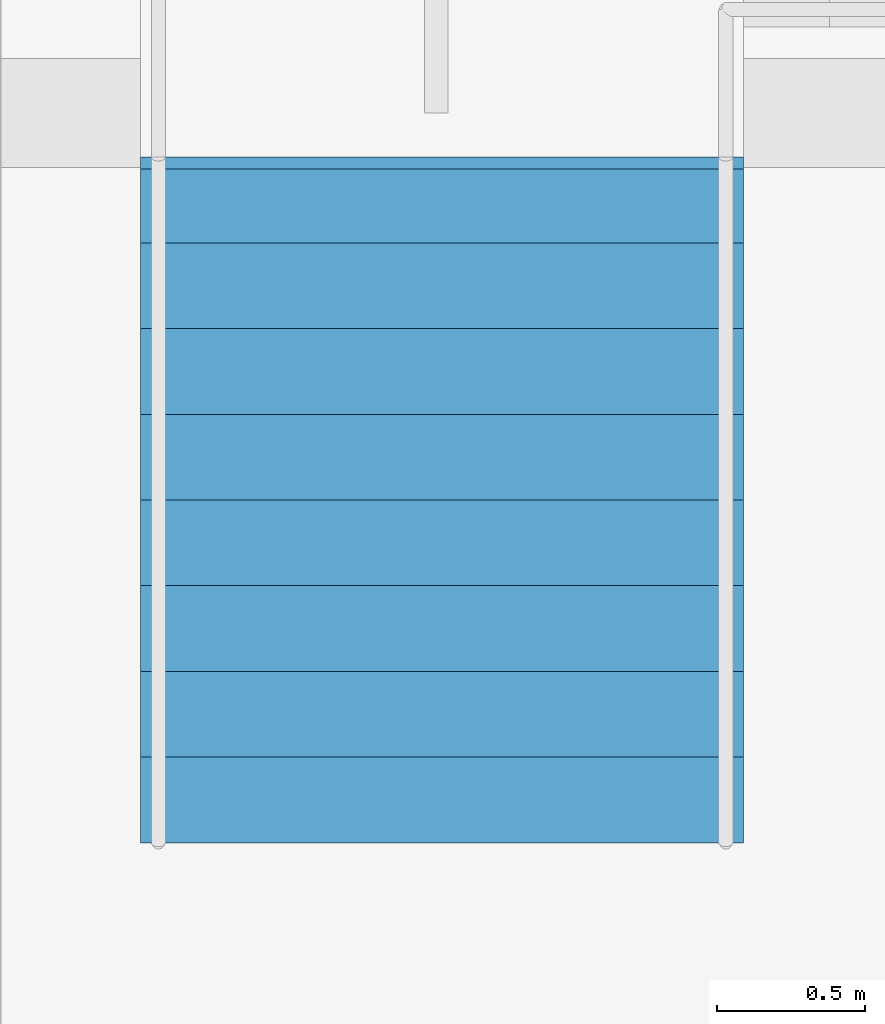
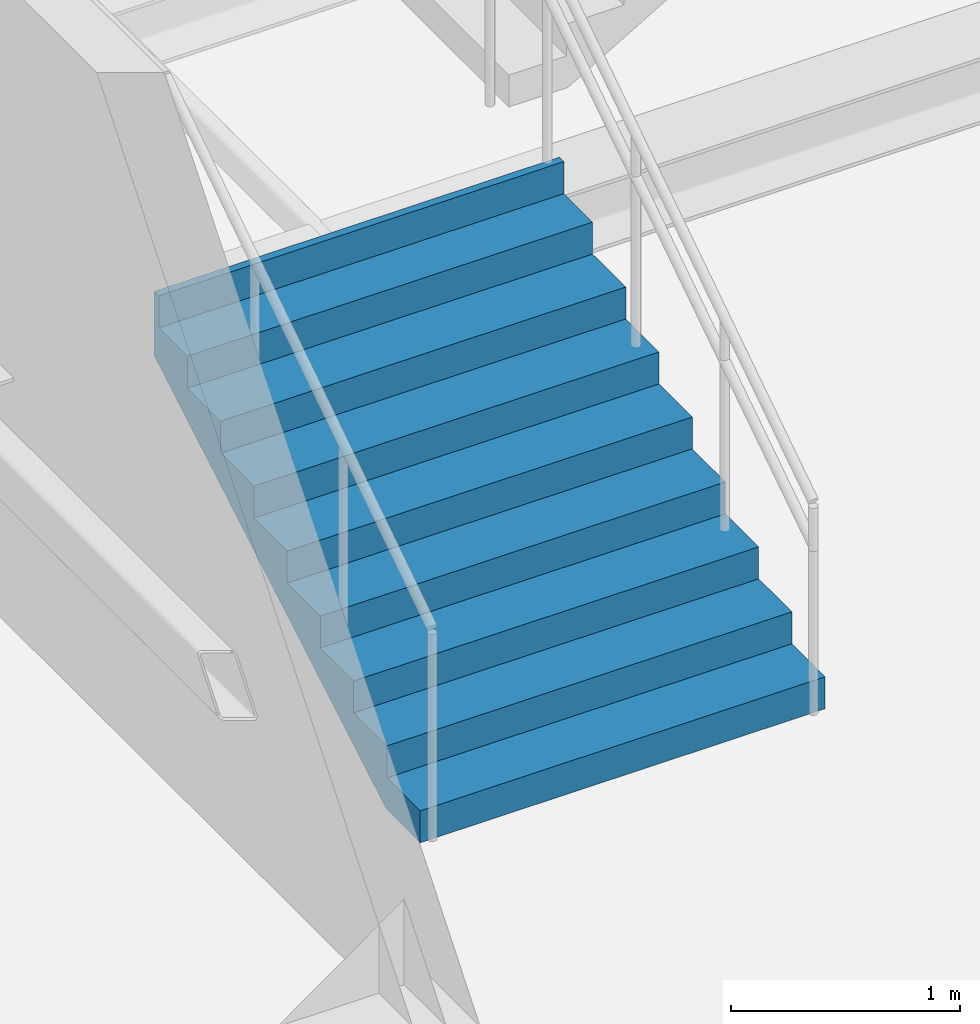
# One storey, part 23 of 32: 1 stair flight, 1 element without a shape of its own.
"""IFC4 building model written with IfcOpenShell, lengths in metres."""

from ifc_helpers import new_model, si_unit, direction, frame, origin, place, context, subcontext, project, spatial, triangles, material, type_object, element, aggregate, save


model = new_model("IFC4")

# Units and contexts
model_context = context("Model", 3, precision=1e-05, world=origin(), true_north=direction((0.0, 1.0)))
body_context = subcontext(model_context, "Body", "Model", "MODEL_VIEW")
ifc_project = project(units=[si_unit("LENGTHUNIT", "METRE"), si_unit("AREAUNIT", "SQUARE_METRE"), si_unit("VOLUMEUNIT", "CUBIC_METRE"), si_unit("PLANEANGLEUNIT", "RADIAN"), si_unit("MASSUNIT", "GRAM", prefix="KILO")], contexts=[model_context])

# Site, building, storey
site_placement = place(None, origin())
site = spatial("IfcSite", under=ifc_project, at=site_placement, CompositionType="ELEMENT")
building_placement = place(site_placement, origin())
building = spatial("IfcBuilding", under=site, at=building_placement, Name="Sillaruma Civic Art Gallery", CompositionType="ELEMENT")
storey_placement = place(building_placement, frame((0.0, 0.0, -4.590087890625)))
storey = spatial("IfcBuildingStorey", under=building, at=storey_placement, Name="B01", CompositionType="ELEMENT", Elevation=-4.590087890625)

# Stair, stair flight
ifc_material = material(Name="Concrete H35 (35 MPa)", Category="concrete")
stair_type = type_object("IfcStairType", Name="STR-3F-27", PredefinedType="TWO_QUARTER_TURN_STAIR", material=ifc_material)
stair_placement = place(storey_placement, origin())
stair = element("IfcStair", 1, at=stair_placement, inside=storey, type_object=stair_type, Name="Monumental Gallery Feature Stair ST-G01 (B01)", PredefinedType="TWO_QUARTER_TURN_STAIR")
stair_flight_type = type_object("IfcStairFlightType", Name="SFL-STR-9", PredefinedType="STRAIGHT", material=ifc_material)
stair_flight_placement = place(storey_placement, frame((39.219970703125, 110.199951171875, 0.0), z_axis=(0.0, 0.0, 1.0), x_axis=(0.0, 1.0, 0.0)))
stair_flight = element("IfcStairFlight", 2, at=stair_flight_placement, type_object=stair_flight_type, Name="ST-G01 flight 1", NumberOfRisers=9, NumberOfTreads=8, PredefinedType="STRAIGHT", RiserHeight=0.17, TreadLength=0.29, context=body_context, shape_type="Tessellation", body=[
    triangles([(0.0, -1.02001953125, 0.0), (0.29, -1.02001953125, 0.0), (0.296482, -1.02001953125, 0.0), (0.58, -1.02001953125, 0.1662), (0.87, -1.02001953125, 0.3362), (1.16, -1.02001953125, 0.5062), (1.45, -1.02001953125, 0.6762), (1.74, -1.02001953125, 0.8462), (2.03, -1.02001953125, 1.0162), (2.280068, -1.02001953125, 1.162792), (2.320068, -1.02001953125, 1.18624), (2.320068, -1.02001953125, 1.53), (2.280068, -1.02001953125, 1.53), (2.280068, -1.02001953125, 1.36), (2.03, -1.02001953125, 1.36), (2.03, -1.02001953125, 1.19), (1.74, -1.02001953125, 1.19), (1.74, -1.02001953125, 1.02), (1.45, -1.02001953125, 1.02), (1.45, -1.02001953125, 0.85), (1.16, -1.02001953125, 0.85), (1.16, -1.02001953125, 0.68), (0.87, -1.02001953125, 0.68), (0.87, -1.02001953125, 0.51), (0.58, -1.02001953125, 0.51), (0.58, -1.02001953125, 0.34), (0.296482, -1.02001953125, 0.34), (0.29, -1.02001953125, 0.34), (0.29, -1.02001953125, 0.17), (0.0, -1.02001953125, 0.17), (0.0, -0.05, 0.0), (0.29, -0.05, 0.0), (0.296482, -0.05, 0.0), (0.58, -0.05, 0.1662), (0.87, -0.05, 0.3362), (1.16, -0.05, 0.5062), (1.45, -0.05, 0.6762), (1.74, -0.05, 0.8462), (2.03, -0.05, 1.0162), (2.280068, -0.05, 1.162792), (2.320068, -0.05, 1.18624), (2.320068, -0.05, 1.53), (2.280068, -0.05, 1.53), (2.280068, -0.05, 1.36), (2.03, -0.05, 1.36), (2.03, -0.05, 1.19), (1.74, -0.05, 1.19), (1.74, -0.05, 1.02), (1.45, -0.05, 1.02), (1.45, -0.05, 0.85), (1.16, -0.05, 0.85), (1.16, -0.05, 0.68), (0.87, -0.05, 0.68), (0.87, -0.05, 0.51), (0.58, -0.05, 0.51), (0.58, -0.05, 0.34), (0.296482, -0.05, 0.34), (0.29, -0.05, 0.34), (0.29, -0.05, 0.17), (0.0, -0.05, 0.17), (0.0, -0.0375, 0.0), (0.29, -0.0375, 0.0), (0.296482, -0.0375, 0.0), (0.58, -0.0375, 0.1662), (0.87, -0.0375, 0.3362), (1.16, -0.0375, 0.5062), (1.45, -0.0375, 0.6762), (1.74, -0.0375, 0.8462), (2.03, -0.0375, 1.0162), (2.280068, -0.0375, 1.162792), (2.320068, -0.0375, 1.18624), (2.320068, -0.0375, 1.53), (2.280068, -0.0375, 1.53), (2.280068, -0.0375, 1.36), (2.03, -0.0375, 1.36), (2.03, -0.0375, 1.19), (1.74, -0.0375, 1.19), (1.74, -0.0375, 1.02), (1.45, -0.0375, 1.02), (1.45, -0.0375, 0.85), (1.16, -0.0375, 0.85), (1.16, -0.0375, 0.68), (0.87, -0.0375, 0.68), (0.87, -0.0375, 0.51), (0.58, -0.0375, 0.51), (0.58, -0.0375, 0.34), (0.296482, -0.0375, 0.34), (0.29, -0.0375, 0.34), (0.29, -0.0375, 0.17), (0.0, -0.0375, 0.17), (0.0, -0.025, 0.0), (0.29, -0.025, 0.0), (0.296482, -0.025, 0.0), (0.58, -0.025, 0.1662), (0.87, -0.025, 0.3362), (1.16, -0.025, 0.5062), (1.45, -0.025, 0.6762), (1.74, -0.025, 0.8462), (2.03, -0.025, 1.0162), (2.280068, -0.025, 1.162792), (2.320068, -0.025, 1.18624), (2.320068, -0.025, 1.53), (2.280068, -0.025, 1.53), (2.280068, -0.025, 1.36), (2.03, -0.025, 1.36), (2.03, -0.025, 1.19), (1.74, -0.025, 1.19), (1.74, -0.025, 1.02), (1.45, -0.025, 1.02), (1.45, -0.025, 0.85), (1.16, -0.025, 0.85), (1.16, -0.025, 0.68), (0.87, -0.025, 0.68), (0.87, -0.025, 0.51), (0.58, -0.025, 0.51), (0.58, -0.025, 0.34), (0.296482, -0.025, 0.34), (0.29, -0.025, 0.34), (0.29, -0.025, 0.17), (0.0, -0.025, 0.17), (0.0, -0.0125, 0.0), (0.29, -0.0125, 0.0), (0.296482, -0.0125, 0.0), (0.58, -0.0125, 0.1662), (0.87, -0.0125, 0.3362), (1.16, -0.0125, 0.5062), (1.45, -0.0125, 0.6762), (1.74, -0.0125, 0.8462), (2.03, -0.0125, 1.0162), (2.280068, -0.0125, 1.162792), (2.320068, -0.0125, 1.18624), (2.320068, -0.0125, 1.53), (2.280068, -0.0125, 1.53), (2.280068, -0.0125, 1.36), (2.03, -0.0125, 1.36), (2.03, -0.0125, 1.19), (1.74, -0.0125, 1.19), (1.74, -0.0125, 1.02), (1.45, -0.0125, 1.02), (1.45, -0.0125, 0.85), (1.16, -0.0125, 0.85), (1.16, -0.0125, 0.68), (0.87, -0.0125, 0.68), (0.87, -0.0125, 0.51), (0.58, -0.0125, 0.51), (0.58, -0.0125, 0.34), (0.296482, -0.0125, 0.34), (0.29, -0.0125, 0.34), (0.29, -0.0125, 0.17), (0.0, -0.0125, 0.17), (0.0, 0.0, 0.0), (0.29, 0.0, 0.0), (0.296482, 0.0, 0.0), (0.58, 0.0, 0.1662), (0.87, 0.0, 0.3362), (1.16, 0.0, 0.5062), (1.45, 0.0, 0.6762), (1.74, 0.0, 0.8462), (2.03, 0.0, 1.0162), (2.280068, 0.0, 1.162792), (2.320068, 0.0, 1.18624), (2.320068, 0.0, 1.53), (2.280068, 0.0, 1.53), (2.280068, 0.0, 1.36), (2.03, 0.0, 1.36), (2.03, 0.0, 1.19), (1.74, 0.0, 1.19), (1.74, 0.0, 1.02), (1.45, 0.0, 1.02), (1.45, 0.0, 0.85), (1.16, 0.0, 0.85), (1.16, 0.0, 0.68), (0.87, 0.0, 0.68), (0.87, 0.0, 0.51), (0.58, 0.0, 0.51), (0.58, 0.0, 0.34), (0.296482, 0.0, 0.34), (0.29, 0.0, 0.34), (0.29, 0.0, 0.17), (0.0, 0.0, 0.17), (0.0, 0.0125, 0.0), (0.29, 0.0125, 0.0), (0.296482, 0.0125, 0.0), (0.58, 0.0125, 0.1662), (0.87, 0.0125, 0.3362), (1.16, 0.0125, 0.5062), (1.45, 0.0125, 0.6762), (1.74, 0.0125, 0.8462), (2.03, 0.0125, 1.0162), (2.280068, 0.0125, 1.162792), (2.320068, 0.0125, 1.18624), (2.320068, 0.0125, 1.53), (2.280068, 0.0125, 1.53), (2.280068, 0.0125, 1.36), (2.03, 0.0125, 1.36), (2.03, 0.0125, 1.19), (1.74, 0.0125, 1.19), (1.74, 0.0125, 1.02), (1.45, 0.0125, 1.02), (1.45, 0.0125, 0.85), (1.16, 0.0125, 0.85), (1.16, 0.0125, 0.68), (0.87, 0.0125, 0.68), (0.87, 0.0125, 0.51), (0.58, 0.0125, 0.51), (0.58, 0.0125, 0.34), (0.296482, 0.0125, 0.34), (0.29, 0.0125, 0.34), (0.29, 0.0125, 0.17), (0.0, 0.0125, 0.17), (0.0, 0.025, 0.0), (0.29, 0.025, 0.0), (0.296482, 0.025, 0.0), (0.58, 0.025, 0.1662), (0.87, 0.025, 0.3362), (1.16, 0.025, 0.5062), (1.45, 0.025, 0.6762), (1.74, 0.025, 0.8462), (2.03, 0.025, 1.0162), (2.280068, 0.025, 1.162792), (2.320068, 0.025, 1.18624), (2.320068, 0.025, 1.53), (2.280068, 0.025, 1.53), (2.280068, 0.025, 1.36), (2.03, 0.025, 1.36), (2.03, 0.025, 1.19), (1.74, 0.025, 1.19), (1.74, 0.025, 1.02), (1.45, 0.025, 1.02), (1.45, 0.025, 0.85), (1.16, 0.025, 0.85), (1.16, 0.025, 0.68), (0.87, 0.025, 0.68), (0.87, 0.025, 0.51), (0.58, 0.025, 0.51), (0.58, 0.025, 0.34), (0.296482, 0.025, 0.34), (0.29, 0.025, 0.34), (0.29, 0.025, 0.17), (0.0, 0.025, 0.17), (0.0, 0.0375, 0.0), (0.29, 0.0375, 0.0), (0.296482, 0.0375, 0.0), (0.58, 0.0375, 0.1662), (0.87, 0.0375, 0.3362), (1.16, 0.0375, 0.5062), (1.45, 0.0375, 0.6762), (1.74, 0.0375, 0.8462), (2.03, 0.0375, 1.0162), (2.280068, 0.0375, 1.162792), (2.320068, 0.0375, 1.18624), (2.320068, 0.0375, 1.53), (2.280068, 0.0375, 1.53), (2.280068, 0.0375, 1.36), (2.03, 0.0375, 1.36), (2.03, 0.0375, 1.19), (1.74, 0.0375, 1.19), (1.74, 0.0375, 1.02), (1.45, 0.0375, 1.02), (1.45, 0.0375, 0.85), (1.16, 0.0375, 0.85), (1.16, 0.0375, 0.68), (0.87, 0.0375, 0.68), (0.87, 0.0375, 0.51), (0.58, 0.0375, 0.51), (0.58, 0.0375, 0.34), (0.296482, 0.0375, 0.34), (0.29, 0.0375, 0.34), (0.29, 0.0375, 0.17), (0.0, 0.0375, 0.17), (0.0, 0.05, 0.0), (0.29, 0.05, 0.0), (0.296482, 0.05, 0.0), (0.58, 0.05, 0.1662), (0.87, 0.05, 0.3362), (1.16, 0.05, 0.5062), (1.45, 0.05, 0.6762), (1.74, 0.05, 0.8462), (2.03, 0.05, 1.0162), (2.280068, 0.05, 1.162792), (2.320068, 0.05, 1.18624), (2.320068, 0.05, 1.53), (2.280068, 0.05, 1.53), (2.280068, 0.05, 1.36), (2.03, 0.05, 1.36), (2.03, 0.05, 1.19), (1.74, 0.05, 1.19), (1.74, 0.05, 1.02), (1.45, 0.05, 1.02), (1.45, 0.05, 0.85), (1.16, 0.05, 0.85), (1.16, 0.05, 0.68), (0.87, 0.05, 0.68), (0.87, 0.05, 0.51), (0.58, 0.05, 0.51), (0.58, 0.05, 0.34), (0.296482, 0.05, 0.34), (0.29, 0.05, 0.34), (0.29, 0.05, 0.17), (0.0, 0.05, 0.17), (0.0, 1.02001953125, 0.0), (0.29, 1.02001953125, 0.0), (0.296482, 1.02001953125, 0.0), (0.58, 1.02001953125, 0.1662), (0.87, 1.02001953125, 0.3362), (1.16, 1.02001953125, 0.5062), (1.45, 1.02001953125, 0.6762), (1.74, 1.02001953125, 0.8462), (2.03, 1.02001953125, 1.0162), (2.280068, 1.02001953125, 1.162792), (2.320068, 1.02001953125, 1.18624), (2.320068, 1.02001953125, 1.53), (2.280068, 1.02001953125, 1.53), (2.280068, 1.02001953125, 1.36), (2.03, 1.02001953125, 1.36), (2.03, 1.02001953125, 1.19), (1.74, 1.02001953125, 1.19), (1.74, 1.02001953125, 1.02), (1.45, 1.02001953125, 1.02), (1.45, 1.02001953125, 0.85), (1.16, 1.02001953125, 0.85), (1.16, 1.02001953125, 0.68), (0.87, 1.02001953125, 0.68), (0.87, 1.02001953125, 0.51), (0.58, 1.02001953125, 0.51), (0.58, 1.02001953125, 0.34), (0.296482, 1.02001953125, 0.34), (0.29, 1.02001953125, 0.34), (0.29, 1.02001953125, 0.17), (0.0, 1.02001953125, 0.17)], [[1, 2, 29], [1, 29, 30], [2, 3, 27], [2, 27, 29], [29, 27, 28], [3, 4, 26], [3, 26, 27], [4, 5, 24], [4, 24, 26], [26, 24, 25], [5, 6, 22], [5, 22, 24], [24, 22, 23], [6, 7, 20], [6, 20, 22], [22, 20, 21], [7, 8, 18], [7, 18, 20], [20, 18, 19], [8, 9, 16], [8, 16, 18], [18, 16, 17], [9, 10, 14], [9, 14, 16], [16, 14, 15], [10, 11, 12], [10, 12, 14], [14, 12, 13], [329, 302, 301], [330, 329, 301], [327, 303, 302], [329, 327, 302], [328, 327, 329], [326, 304, 303], [327, 326, 303], [324, 305, 304], [326, 324, 304], [325, 324, 326], [322, 306, 305], [324, 322, 305], [323, 322, 324], [320, 307, 306], [322, 320, 306], [321, 320, 322], [318, 308, 307], [320, 318, 307], [319, 318, 320], [316, 309, 308], [318, 316, 308], [317, 316, 318], [314, 310, 309], [316, 314, 309], [315, 314, 316], [312, 311, 310], [314, 312, 310], [313, 312, 314], [2, 1, 31], [2, 31, 32], [3, 2, 32], [3, 32, 33], [4, 3, 33], [4, 33, 34], [5, 4, 34], [5, 34, 35], [6, 5, 35], [6, 35, 36], [7, 6, 36], [7, 36, 37], [8, 7, 37], [8, 37, 38], [9, 8, 38], [9, 38, 39], [10, 9, 39], [10, 39, 40], [11, 10, 40], [11, 40, 41], [12, 11, 41], [12, 41, 42], [13, 12, 42], [13, 42, 43], [14, 13, 43], [14, 43, 44], [15, 14, 44], [15, 44, 45], [16, 15, 45], [16, 45, 46], [17, 16, 46], [17, 46, 47], [18, 17, 47], [18, 47, 48], [19, 18, 48], [19, 48, 49], [20, 19, 49], [20, 49, 50], [21, 20, 50], [21, 50, 51], [22, 21, 51], [22, 51, 52], [23, 22, 52], [23, 52, 53], [24, 23, 53], [24, 53, 54], [25, 24, 54], [25, 54, 55], [26, 25, 55], [26, 55, 56], [27, 26, 56], [27, 56, 57], [28, 27, 57], [28, 57, 58], [29, 28, 58], [29, 58, 59], [30, 29, 59], [30, 59, 60], [1, 30, 60], [1, 60, 31], [32, 31, 61], [32, 61, 62], [33, 32, 62], [33, 62, 63], [34, 33, 63], [34, 63, 64], [35, 34, 64], [35, 64, 65], [36, 35, 65], [36, 65, 66], [37, 36, 66], [37, 66, 67], [38, 37, 67], [38, 67, 68], [39, 38, 68], [39, 68, 69], [40, 39, 69], [40, 69, 70], [41, 40, 70], [41, 70, 71], [42, 41, 71], [42, 71, 72], [43, 42, 72], [43, 72, 73], [44, 43, 73], [44, 73, 74], [45, 44, 74], [45, 74, 75], [46, 45, 75], [46, 75, 76], [47, 46, 76], [47, 76, 77], [48, 47, 77], [48, 77, 78], [49, 48, 78], [49, 78, 79], [50, 49, 79], [50, 79, 80], [51, 50, 80], [51, 80, 81], [52, 51, 81], [52, 81, 82], [53, 52, 82], [53, 82, 83], [54, 53, 83], [54, 83, 84], [55, 54, 84], [55, 84, 85], [56, 55, 85], [56, 85, 86], [57, 56, 86], [57, 86, 87], [58, 57, 87], [58, 87, 88], [59, 58, 88], [59, 88, 89], [60, 59, 89], [60, 89, 90], [31, 60, 90], [31, 90, 61], [62, 61, 91], [62, 91, 92], [63, 62, 92], [63, 92, 93], [64, 63, 93], [64, 93, 94], [65, 64, 94], [65, 94, 95], [66, 65, 95], [66, 95, 96], [67, 66, 96], [67, 96, 97], [68, 67, 97], [68, 97, 98], [69, 68, 98], [69, 98, 99], [70, 69, 99], [70, 99, 100], [71, 70, 100], [71, 100, 101], [72, 71, 101], [72, 101, 102], [73, 72, 102], [73, 102, 103], [74, 73, 103], [74, 103, 104], [75, 74, 104], [75, 104, 105], [76, 75, 105], [76, 105, 106], [77, 76, 106], [77, 106, 107], [78, 77, 107], [78, 107, 108], [79, 78, 108], [79, 108, 109], [80, 79, 109], [80, 109, 110], [81, 80, 110], [81, 110, 111], [82, 81, 111], [82, 111, 112], [83, 82, 112], [83, 112, 113], [84, 83, 113], [84, 113, 114], [85, 84, 114], [85, 114, 115], [86, 85, 115], [86, 115, 116], [87, 86, 116], [87, 116, 117], [88, 87, 117], [88, 117, 118], [89, 88, 118], [89, 118, 119], [90, 89, 119], [90, 119, 120], [61, 90, 120], [61, 120, 91], [92, 91, 121], [92, 121, 122], [93, 92, 122], [93, 122, 123], [94, 93, 123], [94, 123, 124], [95, 94, 124], [95, 124, 125], [96, 95, 125], [96, 125, 126], [97, 96, 126], [97, 126, 127], [98, 97, 127], [98, 127, 128], [99, 98, 128], [99, 128, 129], [100, 99, 129], [100, 129, 130], [101, 100, 130], [101, 130, 131], [102, 101, 131], [102, 131, 132], [103, 102, 132], [103, 132, 133], [104, 103, 133], [104, 133, 134], [105, 104, 134], [105, 134, 135], [106, 105, 135], [106, 135, 136], [107, 106, 136], [107, 136, 137], [108, 107, 137], [108, 137, 138], [109, 108, 138], [109, 138, 139], [110, 109, 139], [110, 139, 140], [111, 110, 140], [111, 140, 141], [112, 111, 141], [112, 141, 142], [113, 112, 142], [113, 142, 143], [114, 113, 143], [114, 143, 144], [115, 114, 144], [115, 144, 145], [116, 115, 145], [116, 145, 146], [117, 116, 146], [117, 146, 147], [118, 117, 147], [118, 147, 148], [119, 118, 148], [119, 148, 149], [120, 119, 149], [120, 149, 150], [91, 120, 150], [91, 150, 121], [122, 121, 151], [122, 151, 152], [123, 122, 152], [123, 152, 153], [124, 123, 153], [124, 153, 154], [125, 124, 154], [125, 154, 155], [126, 125, 155], [126, 155, 156], [127, 126, 156], [127, 156, 157], [128, 127, 157], [128, 157, 158], [129, 128, 158], [129, 158, 159], [130, 129, 159], [130, 159, 160], [131, 130, 160], [131, 160, 161], [132, 131, 161], [132, 161, 162], [133, 132, 162], [133, 162, 163], [134, 133, 163], [134, 163, 164], [135, 134, 164], [135, 164, 165], [136, 135, 165], [136, 165, 166], [137, 136, 166], [137, 166, 167], [138, 137, 167], [138, 167, 168], [139, 138, 168], [139, 168, 169], [140, 139, 169], [140, 169, 170], [141, 140, 170], [141, 170, 171], [142, 141, 171], [142, 171, 172], [143, 142, 172], [143, 172, 173], [144, 143, 173], [144, 173, 174], [145, 144, 174], [145, 174, 175], [146, 145, 175], [146, 175, 176], [147, 146, 176], [147, 176, 177], [148, 147, 177], [148, 177, 178], [149, 148, 178], [149, 178, 179], [150, 149, 179], [150, 179, 180], [121, 150, 180], [121, 180, 151], [152, 151, 181], [152, 181, 182], [153, 152, 182], [153, 182, 183], [154, 153, 183], [154, 183, 184], [155, 154, 184], [155, 184, 185], [156, 155, 185], [156, 185, 186], [157, 156, 186], [157, 186, 187], [158, 157, 187], [158, 187, 188], [159, 158, 188], [159, 188, 189], [160, 159, 189], [160, 189, 190], [161, 160, 190], [161, 190, 191], [162, 161, 191], [162, 191, 192], [163, 162, 192], [163, 192, 193], [164, 163, 193], [164, 193, 194], [165, 164, 194], [165, 194, 195], [166, 165, 195], [166, 195, 196], [167, 166, 196], [167, 196, 197], [168, 167, 197], [168, 197, 198], [169, 168, 198], [169, 198, 199], [170, 169, 199], [170, 199, 200], [171, 170, 200], [171, 200, 201], [172, 171, 201], [172, 201, 202], [173, 172, 202], [173, 202, 203], [174, 173, 203], [174, 203, 204], [175, 174, 204], [175, 204, 205], [176, 175, 205], [176, 205, 206], [177, 176, 206], [177, 206, 207], [178, 177, 207], [178, 207, 208], [179, 178, 208], [179, 208, 209], [180, 179, 209], [180, 209, 210], [151, 180, 210], [151, 210, 181], [182, 181, 211], [182, 211, 212], [183, 182, 212], [183, 212, 213], [184, 183, 213], [184, 213, 214], [185, 184, 214], [185, 214, 215], [186, 185, 215], [186, 215, 216], [187, 186, 216], [187, 216, 217], [188, 187, 217], [188, 217, 218], [189, 188, 218], [189, 218, 219], [190, 189, 219], [190, 219, 220], [191, 190, 220], [191, 220, 221], [192, 191, 221], [192, 221, 222], [193, 192, 222], [193, 222, 223], [194, 193, 223], [194, 223, 224], [195, 194, 224], [195, 224, 225], [196, 195, 225], [196, 225, 226], [197, 196, 226], [197, 226, 227], [198, 197, 227], [198, 227, 228], [199, 198, 228], [199, 228, 229], [200, 199, 229], [200, 229, 230], [201, 200, 230], [201, 230, 231], [202, 201, 231], [202, 231, 232], [203, 202, 232], [203, 232, 233], [204, 203, 233], [204, 233, 234], [205, 204, 234], [205, 234, 235], [206, 205, 235], [206, 235, 236], [207, 206, 236], [207, 236, 237], [208, 207, 237], [208, 237, 238], [209, 208, 238], [209, 238, 239], [210, 209, 239], [210, 239, 240], [181, 210, 240], [181, 240, 211], [212, 211, 241], [212, 241, 242], [213, 212, 242], [213, 242, 243], [214, 213, 243], [214, 243, 244], [215, 214, 244], [215, 244, 245], [216, 215, 245], [216, 245, 246], [217, 216, 246], [217, 246, 247], [218, 217, 247], [218, 247, 248], [219, 218, 248], [219, 248, 249], [220, 219, 249], [220, 249, 250], [221, 220, 250], [221, 250, 251], [222, 221, 251], [222, 251, 252], [223, 222, 252], [223, 252, 253], [224, 223, 253], [224, 253, 254], [225, 224, 254], [225, 254, 255], [226, 225, 255], [226, 255, 256], [227, 226, 256], [227, 256, 257], [228, 227, 257], [228, 257, 258], [229, 228, 258], [229, 258, 259], [230, 229, 259], [230, 259, 260], [231, 230, 260], [231, 260, 261], [232, 231, 261], [232, 261, 262], [233, 232, 262], [233, 262, 263], [234, 233, 263], [234, 263, 264], [235, 234, 264], [235, 264, 265], [236, 235, 265], [236, 265, 266], [237, 236, 266], [237, 266, 267], [238, 237, 267], [238, 267, 268], [239, 238, 268], [239, 268, 269], [240, 239, 269], [240, 269, 270], [211, 240, 270], [211, 270, 241], [242, 241, 271], [242, 271, 272], [243, 242, 272], [243, 272, 273], [244, 243, 273], [244, 273, 274], [245, 244, 274], [245, 274, 275], [246, 245, 275], [246, 275, 276], [247, 246, 276], [247, 276, 277], [248, 247, 277], [248, 277, 278], [249, 248, 278], [249, 278, 279], [250, 249, 279], [250, 279, 280], [251, 250, 280], [251, 280, 281], [252, 251, 281], [252, 281, 282], [253, 252, 282], [253, 282, 283], [254, 253, 283], [254, 283, 284], [255, 254, 284], [255, 284, 285], [256, 255, 285], [256, 285, 286], [257, 256, 286], [257, 286, 287], [258, 257, 287], [258, 287, 288], [259, 258, 288], [259, 288, 289], [260, 259, 289], [260, 289, 290], [261, 260, 290], [261, 290, 291], [262, 261, 291], [262, 291, 292], [263, 262, 292], [263, 292, 293], [264, 263, 293], [264, 293, 294], [265, 264, 294], [265, 294, 295], [266, 265, 295], [266, 295, 296], [267, 266, 296], [267, 296, 297], [268, 267, 297], [268, 297, 298], [269, 268, 298], [269, 298, 299], [270, 269, 299], [270, 299, 300], [241, 270, 300], [241, 300, 271], [272, 271, 301], [272, 301, 302], [273, 272, 302], [273, 302, 303], [274, 273, 303], [274, 303, 304], [275, 274, 304], [275, 304, 305], [276, 275, 305], [276, 305, 306], [277, 276, 306], [277, 306, 307], [278, 277, 307], [278, 307, 308], [279, 278, 308], [279, 308, 309], [280, 279, 309], [280, 309, 310], [281, 280, 310], [281, 310, 311], [282, 281, 311], [282, 311, 312], [283, 282, 312], [283, 312, 313], [284, 283, 313], [284, 313, 314], [285, 284, 314], [285, 314, 315], [286, 285, 315], [286, 315, 316], [287, 286, 316], [287, 316, 317], [288, 287, 317], [288, 317, 318], [289, 288, 318], [289, 318, 319], [290, 289, 319], [290, 319, 320], [291, 290, 320], [291, 320, 321], [292, 291, 321], [292, 321, 322], [293, 292, 322], [293, 322, 323], [294, 293, 323], [294, 323, 324], [295, 294, 324], [295, 324, 325], [296, 295, 325], [296, 325, 326], [297, 296, 326], [297, 326, 327], [298, 297, 327], [298, 327, 328], [299, 298, 328], [299, 328, 329], [300, 299, 329], [300, 329, 330], [271, 300, 330], [271, 330, 301]], closed=True),
])
aggregate(stair, [stair_flight])

save(model, "model.ifc")
